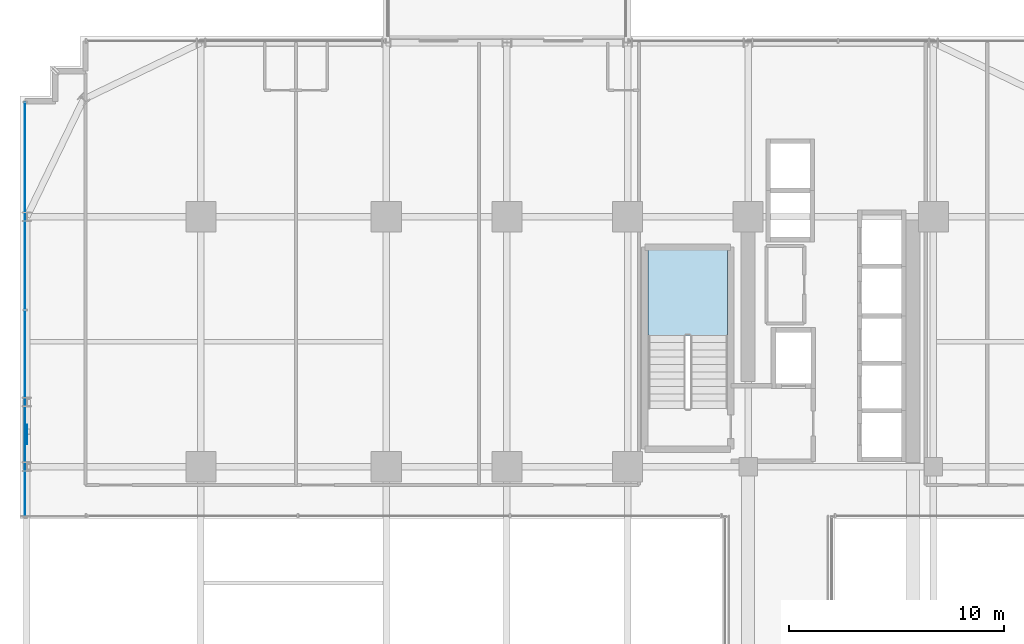
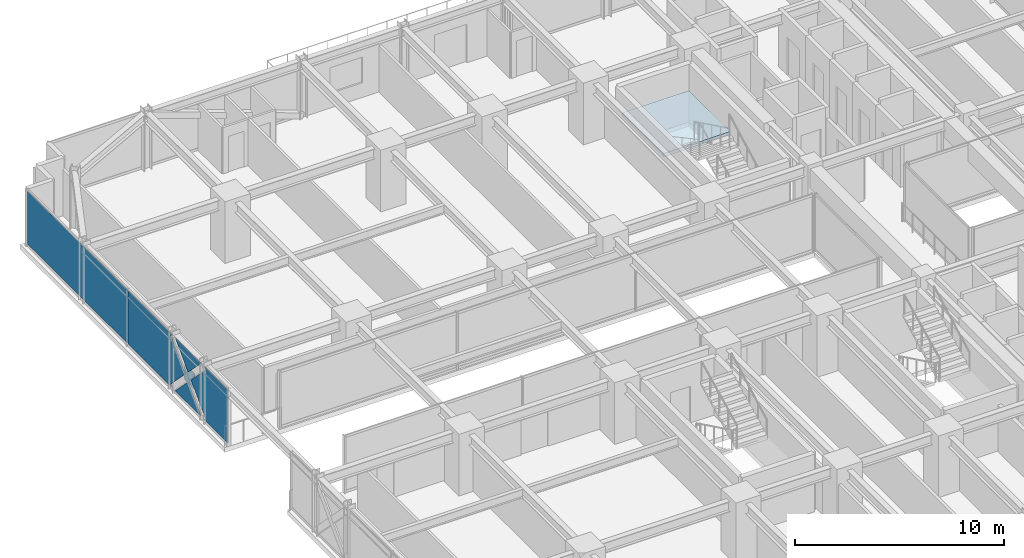
# One storey, part 37 of 47: 3 plates, 1 slab, 2 elements without a shape of their own.
"""IFC4 building model written with IfcOpenShell, lengths in metres."""

from ifc_helpers import new_model, si_unit, direction, frame, origin, origin_2d, place, context, subcontext, project, spatial, polyline, rectangle, outline, extrude, source, transform, mapped, material, layer, layer_set, type_object, element, aggregate, save


model = new_model("IFC4")

# Units and contexts
model_context = context("Model", 3, precision=1e-05, world=origin(), true_north=direction((0.0, 1.0)))
body_context = subcontext(model_context, "Body", "Model", "MODEL_VIEW")
ifc_project = project(units=[si_unit("LENGTHUNIT", "METRE"), si_unit("AREAUNIT", "SQUARE_METRE"), si_unit("VOLUMEUNIT", "CUBIC_METRE"), si_unit("PLANEANGLEUNIT", "RADIAN"), si_unit("MASSUNIT", "GRAM", prefix="KILO")], contexts=[model_context])

# Site, building, storey
site_placement = place(None, origin())
site = spatial("IfcSite", under=ifc_project, at=site_placement, CompositionType="ELEMENT")
building_placement = place(site_placement, origin())
building = spatial("IfcBuilding", under=site, at=building_placement, Name="Nahalor Promenade Grand Hotel", CompositionType="ELEMENT")
storey_placement = place(building_placement, frame((0.0, 0.0, 68.89990234375)))
storey = spatial("IfcBuildingStorey", under=building, at=storey_placement, Name="L16", CompositionType="ELEMENT", Elevation=68.89990234375)

# Curtain wall, plate
ifc_material_1 = material(Name="Anodised Bronze Aluminium EN AW-6063 T6", Category="aluminium")
curtain_wall_type = type_object("IfcCurtainWallType", Name="CW3 Elliptical-Void Collar Unitised Curtain Wall", PredefinedType="USERDEFINED", material=ifc_material_1)
curtain_wall_placement = place(storey_placement, origin())
curtain_wall = element("IfcCurtainWall", 1, at=curtain_wall_placement, inside=storey, type_object=curtain_wall_type, Name="L16 Curtain Wall CW-L16-W-2", ObjectType="UNITISED_CURTAIN_WALL", PredefinedType="USERDEFINED")
ifc_material_2 = material(Name="Low-E Laminated Solar Glass", Category="glass")
ifc_layer_1 = layer(ifc_material_2, 0.030029296875)
ifc_layer_set_1 = layer_set([ifc_layer_1], Name="Low-E Laminated Solar Glass")
plate_type_1 = type_object("IfcPlateType", Name="CWP3 High-Wind Laminated Bronze IGU 30mm", PredefinedType="CURTAIN_PANEL", material=ifc_layer_set_1)
plate_1_placement = place(storey_placement, frame((-25.159912109375, 7.856689453125, 0.14013671875), z_axis=(0.0, 0.0, 1.0), x_axis=(0.0, 1.0, 0.0)))
plate_1 = element("IfcPlate", 2, at=plate_1_placement, type_object=plate_type_1, Name="CW-L16-W-2 Glazing Panel 0-0", PredefinedType="CURTAIN_PANEL", context=body_context, shape_type="SweptSolid", body=[
    extrude(outline(polyline([(-4.787841796875, 3.090087890625), (-4.787841796875, 0.0), (-2.482177734375, 0.0), (-2.6171875, 0.1318359375), (-1.236328125, 1.544921875), (-2.6171875, 2.9580078125), (-2.482177734375, 3.090087890625), (-4.787841796875, 3.090087890625)])), frame((0.0, 0.01513671875, 0.0), z_axis=(0.0, -1.0, 0.0), x_axis=(1.0, 0.0, 0.0)), (0.0, 0.0, 1.0), 0.030029296875),
    extrude(outline(polyline([(-0.956787109375, 1.2587890625), (-2.186767578125, 0.0), (0.2734375, 0.0), (-0.956787109375, 1.2587890625)])), frame((0.0, 0.01513671875, 0.0), z_axis=(0.0, -1.0, 0.0), x_axis=(1.0, 0.0, 0.0)), (0.0, 0.0, 1.0), 0.030029296875),
    extrude(outline(polyline([(-0.956787109375, 1.831298828125), (0.2734375, 3.090087890625), (-2.186767578125, 3.090087890625), (-0.956787109375, 1.831298828125)])), frame((0.0, 0.01513671875, 0.0), z_axis=(0.0, -1.0, 0.0), x_axis=(1.0, 0.0, 0.0)), (0.0, 0.0, 1.0), 0.030029296875),
    extrude(outline(polyline([(4.787841796875, 0.0), (4.787841796875, 3.090087890625), (0.56884765625, 3.090087890625), (0.703857421875, 2.9580078125), (-0.67724609375, 1.544921875), (0.703857421875, 0.1318359375), (0.56884765625, 0.0), (4.787841796875, 0.0)])), frame((0.0, 0.01513671875, 0.0), z_axis=(0.0, -1.0, 0.0), x_axis=(1.0, 0.0, 0.0)), (0.0, 0.0, 1.0), 0.030029296875),
])

# Stair, slab
ifc_material_3 = material(Name="Concrete B-50 (C40/50)", Category="concrete")
stair_type = type_object("IfcStairType", Name="Stair-ST1", PredefinedType="HALF_TURN_STAIR", material=ifc_material_3)
stair_placement = place(storey_placement, origin())
stair = element("IfcStair", 3, at=stair_placement, inside=storey, type_object=stair_type, Name="L16 ST1", PredefinedType="HALF_TURN_STAIR")
ifc_layer_2 = layer(ifc_material_3, 0.199951171875)
ifc_layer_set_2 = layer_set([ifc_layer_2], Name="Concrete B-50 (C40/50)")
slab_type = type_object("IfcSlabType", Name="Landing-ST1", PredefinedType="LANDING", material=ifc_layer_set_2)
slab_placement = place(storey_placement, frame((0.0, 0.0, 1.625)))
slab = element("IfcSlab", 4, at=slab_placement, type_object=slab_type, Name="ST1 landing 1", PredefinedType="LANDING", context=body_context, shape_type="SweptSolid", body=[
    extrude(outline(polyline([(7.449951171875, 11.5), (7.449951171875, 15.449951171875), (3.75, 15.449951171875), (3.75, 11.5), (7.449951171875, 11.5)])), origin(), (0.0, 0.0, 1.0), 0.2001953125),
])
aggregate(stair, [slab])

# Plate
ifc_material_4 = material(Name="Steel S355J2", Category="steel")
ifc_layer_3 = layer(ifc_material_4, 0.035888671875)
ifc_layer_set_3 = layer_set([ifc_layer_3], Name="Steel S355J2")
plate_type_2 = type_object("IfcPlateType", Name="Plate-CrossGusset-36", PredefinedType="USERDEFINED", material=ifc_layer_set_3)
shared_shape_1 = source(origin(), body_context, "Body", "SweptSolid", [
    extrude(rectangle(XDim=0.89990234375, YDim=0.035888671875, at=origin_2d()), origin(), (0.0, 0.0, 1.0), 0.89990234375),
])
plate_2_placement = place(storey_placement, frame((-25.080078125, 6.89990234375, 1.235107421875), z_axis=(0.0, 0.0, 1.0), x_axis=(0.0, 1.0, 0.0)))
element("IfcPlate", 5, at=plate_2_placement, inside=storey, type_object=plate_type_2, Name="PL-L16-VXX-W1", ObjectType="GUSSET_PLATE", PredefinedType="USERDEFINED", context=body_context, shape_type="MappedRepresentation", body=[
    mapped(shared_shape_1, transform((0.0, 0.0, 0.0), scale=1.0)),
])

shared_shape_2 = source(origin(), body_context, "Body", "SweptSolid", [
    extrude(rectangle(XDim=9.575439453125, YDim=0.030029296875, at=origin_2d()), origin(), (0.0, 0.0, 1.0), 3.090087890625),
])
plate_3_placement = place(storey_placement, frame((-25.159912109375, 17.502197265625, 0.14013671875), z_axis=(0.0, 0.0, 1.0), x_axis=(0.0, 1.0, 0.0)))
plate_3 = element("IfcPlate", 6, at=plate_3_placement, type_object=plate_type_1, Name="CW-L16-W-2 Glazing Panel 1-0", PredefinedType="CURTAIN_PANEL", context=body_context, shape_type="MappedRepresentation", body=[
    mapped(shared_shape_2, transform((0.0, 0.0, 0.0), scale=1.0)),
])

aggregate(curtain_wall, [plate_1, plate_3])

save(model, "model.ifc")
